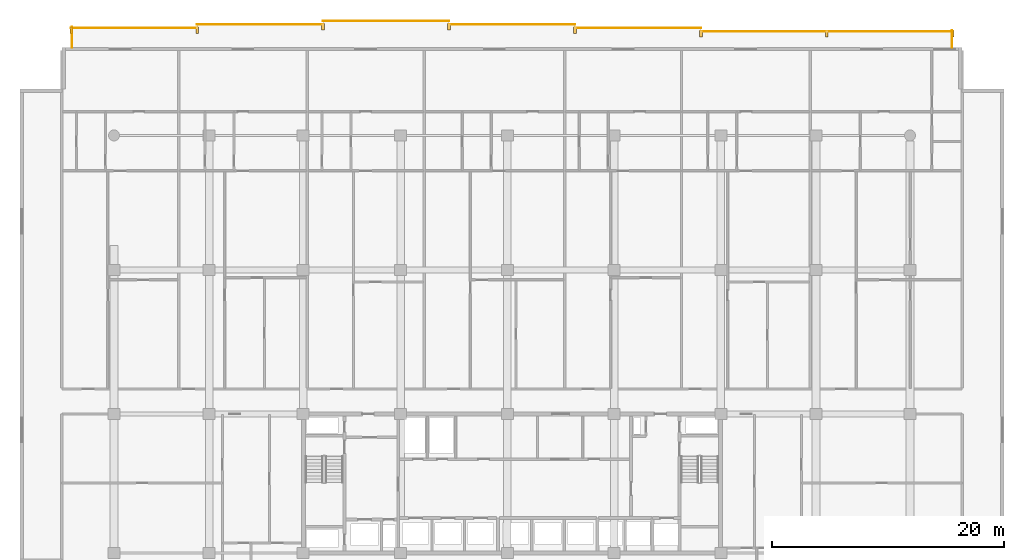
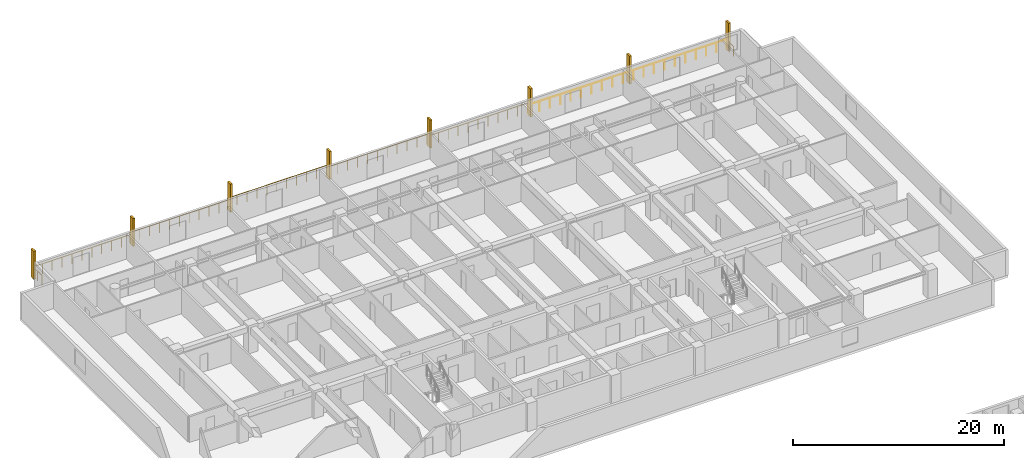
# One storey, part 23 of 23: 8 railings, 8 shading devices.
"""IFC4 building model written with IfcOpenShell, lengths in metres."""

from ifc_helpers import new_model, si_unit, direction, frame, origin, origin_2d, place, context, subcontext, project, spatial, rectangle, circle, extrude, material, type_object, element, save


model = new_model("IFC4")

# Units and contexts
model_context = context("Model", 3, precision=1e-05, world=origin(), true_north=direction((0.0, 1.0)))
body_context = subcontext(model_context, "Body", "Model", "MODEL_VIEW")
ifc_project = project(units=[si_unit("LENGTHUNIT", "METRE"), si_unit("AREAUNIT", "SQUARE_METRE"), si_unit("VOLUMEUNIT", "CUBIC_METRE"), si_unit("PLANEANGLEUNIT", "RADIAN"), si_unit("MASSUNIT", "GRAM", prefix="KILO")], contexts=[model_context])

# Site, building, storey
site_placement = place(None, origin())
site = spatial("IfcSite", under=ifc_project, at=site_placement, CompositionType="ELEMENT")
building_placement = place(site_placement, origin())
building = spatial("IfcBuilding", under=site, at=building_placement, Name="Korimba Cascade Residences", CompositionType="ELEMENT")
storey_placement = place(building_placement, frame((0.0, 0.0, 27.25)))
storey = spatial("IfcBuildingStorey", under=building, at=storey_placement, Name="L06", CompositionType="ELEMENT", Elevation=27.25)

# Railings
ifc_material_1 = material(Name="Laminated Glass and Bronze Balustrade", Category="glass")
railing_type = type_object("IfcRailingType", Name="RLG-LOG-1150", PredefinedType="BALUSTRADE", material=ifc_material_1)
railing_1_placement = place(storey_placement, frame((132.02001953125, 98.800048828125, 0.0)))
element("IfcRailing", 1, at=railing_1_placement, inside=storey, type_object=railing_type, Name="L06 Perimeter Guardrail RLG-L06-T1-LOG-01", PredefinedType="BALUSTRADE", context=body_context, shape_type="SweptSolid", body=[
    extrude(circle(Radius=0.02392578125, at=origin_2d()), frame((0.0, 0.0, 1.1259765625), z_axis=(0.0, 1.0, 0.0), x_axis=(-1.0, 0.0, 0.0)), (0.0, 0.0, 1.0), 1.449951171875),
    extrude(circle(Radius=0.02099609375, at=origin_2d()), origin(), (0.0, 0.0, 1.0), 1.101806640625),
    extrude(circle(Radius=0.02099609375, at=origin_2d()), frame((0.0, 0.72509765625, 0.0)), (0.0, 0.0, 1.0), 1.101806640625),
    extrude(circle(Radius=0.02099609375, at=origin_2d()), frame((0.0, 1.449951171875, 0.0)), (0.0, 0.0, 1.0), 1.101806640625),
])
railing_2_placement = place(storey_placement, frame((132.10009765625, 100.169921875, 0.0)))
element("IfcRailing", 2, at=railing_2_placement, inside=storey, type_object=railing_type, Name="L06 Perimeter Guardrail RLG-L06-T1-LOG-02", PredefinedType="BALUSTRADE", context=body_context, shape_type="SweptSolid", body=[
    extrude(circle(Radius=0.02392578125, at=origin_2d()), frame((0.0, 0.0, 1.1259765625), z_axis=(-1.0, 0.0, 0.0), x_axis=(0.0, -1.0, 0.0)), (0.0, 0.0, 1.0), 21.71435546875),
    extrude(circle(Radius=0.02099609375, at=origin_2d()), origin(), (0.0, 0.0, 1.0), 1.101806640625),
    extrude(circle(Radius=0.02099609375, at=origin_2d()), frame((-1.142822265625, 0.0, 0.0)), (0.0, 0.0, 1.0), 1.101806640625),
    extrude(circle(Radius=0.02099609375, at=origin_2d()), frame((-2.28564453125, 0.0, 0.0)), (0.0, 0.0, 1.0), 1.101806640625),
    extrude(circle(Radius=0.02099609375, at=origin_2d()), frame((-3.428466796875, 0.0, 0.0)), (0.0, 0.0, 1.0), 1.101806640625),
    extrude(circle(Radius=0.02099609375, at=origin_2d()), frame((-4.571533203125, 0.0, 0.0)), (0.0, 0.0, 1.0), 1.101806640625),
    extrude(circle(Radius=0.02099609375, at=origin_2d()), frame((-5.71435546875, 0.0, 0.0)), (0.0, 0.0, 1.0), 1.101806640625),
    extrude(circle(Radius=0.02099609375, at=origin_2d()), frame((-6.857177734375, 0.0, 0.0)), (0.0, 0.0, 1.0), 1.101806640625),
    extrude(circle(Radius=0.02099609375, at=origin_2d()), frame((-8.0, 0.0, 0.0)), (0.0, 0.0, 1.0), 1.101806640625),
    extrude(circle(Radius=0.02099609375, at=origin_2d()), frame((-9.142822265625, 0.0, 0.0)), (0.0, 0.0, 1.0), 1.101806640625),
    extrude(circle(Radius=0.02099609375, at=origin_2d()), frame((-10.28564453125, 0.0, 0.0)), (0.0, 0.0, 1.0), 1.101806640625),
    extrude(circle(Radius=0.02099609375, at=origin_2d()), frame((-11.4287109375, 0.0, 0.0)), (0.0, 0.0, 1.0), 1.101806640625),
    extrude(circle(Radius=0.02099609375, at=origin_2d()), frame((-12.571533203125, 0.0, 0.0)), (0.0, 0.0, 1.0), 1.101806640625),
    extrude(circle(Radius=0.02099609375, at=origin_2d()), frame((-13.71435546875, 0.0, 0.0)), (0.0, 0.0, 1.0), 1.101806640625),
    extrude(circle(Radius=0.02099609375, at=origin_2d()), frame((-14.857177734375, 0.0, 0.0)), (0.0, 0.0, 1.0), 1.101806640625),
    extrude(circle(Radius=0.02099609375, at=origin_2d()), frame((-16.0, 0.0, 0.0)), (0.0, 0.0, 1.0), 1.101806640625),
    extrude(circle(Radius=0.02099609375, at=origin_2d()), frame((-17.142822265625, 0.0, 0.0)), (0.0, 0.0, 1.0), 1.101806640625),
    extrude(circle(Radius=0.02099609375, at=origin_2d()), frame((-18.285888671875, 0.0, 0.0)), (0.0, 0.0, 1.0), 1.101806640625),
    extrude(circle(Radius=0.02099609375, at=origin_2d()), frame((-19.4287109375, 0.0, 0.0)), (0.0, 0.0, 1.0), 1.101806640625),
    extrude(circle(Radius=0.02099609375, at=origin_2d()), frame((-20.571533203125, 0.0, 0.0)), (0.0, 0.0, 1.0), 1.101806640625),
    extrude(circle(Radius=0.02099609375, at=origin_2d()), frame((-21.71435546875, 0.0, 0.0)), (0.0, 0.0, 1.0), 1.101806640625),
])
for number, where, name in (
    (3, (110.3857421875, 100.469970703125, 0.0), "L06 Perimeter Guardrail RLG-L06-T1-LOG-03"),
    (4, (99.528564453125, 100.77001953125, 0.0), "L06 Perimeter Guardrail RLG-L06-T1-LOG-04"),
    (5, (88.67138671875, 101.070068359375, 0.0), "L06 Perimeter Guardrail RLG-L06-T1-LOG-05"),
    (6, (77.814208984375, 100.77001953125, 0.0), "L06 Perimeter Guardrail RLG-L06-T1-LOG-06"),
):
    element("IfcRailing", number, at=place(storey_placement, frame(where)), inside=storey, type_object=railing_type, Name=name, PredefinedType="BALUSTRADE", context=body_context, shape_type="SweptSolid", body=[
        extrude(circle(Radius=0.02392578125, at=origin_2d()), frame((0.0, 0.0, 1.1259765625), z_axis=(-1.0, 0.0, 0.0), x_axis=(0.0, -1.0, 0.0)), (0.0, 0.0, 1.0), 10.857177734375),
        extrude(circle(Radius=0.02099609375, at=origin_2d()), origin(), (0.0, 0.0, 1.0), 1.101806640625),
        extrude(circle(Radius=0.02099609375, at=origin_2d()), frame((-1.085693359375, 0.0, 0.0)), (0.0, 0.0, 1.0), 1.101806640625),
        extrude(circle(Radius=0.02099609375, at=origin_2d()), frame((-2.17138671875, 0.0, 0.0)), (0.0, 0.0, 1.0), 1.101806640625),
        extrude(circle(Radius=0.02099609375, at=origin_2d()), frame((-3.257080078125, 0.0, 0.0)), (0.0, 0.0, 1.0), 1.101806640625),
        extrude(circle(Radius=0.02099609375, at=origin_2d()), frame((-4.3427734375, 0.0, 0.0)), (0.0, 0.0, 1.0), 1.101806640625),
        extrude(circle(Radius=0.02099609375, at=origin_2d()), frame((-5.4287109375, 0.0, 0.0)), (0.0, 0.0, 1.0), 1.101806640625),
        extrude(circle(Radius=0.02099609375, at=origin_2d()), frame((-6.514404296875, 0.0, 0.0)), (0.0, 0.0, 1.0), 1.101806640625),
        extrude(circle(Radius=0.02099609375, at=origin_2d()), frame((-7.60009765625, 0.0, 0.0)), (0.0, 0.0, 1.0), 1.101806640625),
        extrude(circle(Radius=0.02099609375, at=origin_2d()), frame((-8.685791015625, 0.0, 0.0)), (0.0, 0.0, 1.0), 1.101806640625),
        extrude(circle(Radius=0.02099609375, at=origin_2d()), frame((-9.771484375, 0.0, 0.0)), (0.0, 0.0, 1.0), 1.101806640625),
        extrude(circle(Radius=0.02099609375, at=origin_2d()), frame((-10.857177734375, 0.0, 0.0)), (0.0, 0.0, 1.0), 1.101806640625),
    ])
railing_3_placement = place(storey_placement, frame((66.95703125, 100.469970703125, 0.0)))
element("IfcRailing", 7, at=railing_3_placement, inside=storey, type_object=railing_type, Name="L06 Perimeter Guardrail RLG-L06-T1-LOG-07", PredefinedType="BALUSTRADE", context=body_context, shape_type="SweptSolid", body=[
    extrude(circle(Radius=0.02392578125, at=origin_2d()), frame((0.0, 0.0, 1.1259765625), z_axis=(-1.0, 0.0, 0.0), x_axis=(0.0, -1.0, 0.0)), (0.0, 0.0, 1.0), 10.85693359375),
    extrude(circle(Radius=0.02099609375, at=origin_2d()), origin(), (0.0, 0.0, 1.0), 1.101806640625),
    extrude(circle(Radius=0.02099609375, at=origin_2d()), frame((-1.085693359375, 0.0, 0.0)), (0.0, 0.0, 1.0), 1.101806640625),
    extrude(circle(Radius=0.02099609375, at=origin_2d()), frame((-2.17138671875, 0.0, 0.0)), (0.0, 0.0, 1.0), 1.101806640625),
    extrude(circle(Radius=0.02099609375, at=origin_2d()), frame((-3.257080078125, 0.0, 0.0)), (0.0, 0.0, 1.0), 1.101806640625),
    extrude(circle(Radius=0.02099609375, at=origin_2d()), frame((-4.3427734375, 0.0, 0.0)), (0.0, 0.0, 1.0), 1.101806640625),
    extrude(circle(Radius=0.02099609375, at=origin_2d()), frame((-5.428466796875, 0.0, 0.0)), (0.0, 0.0, 1.0), 1.101806640625),
    extrude(circle(Radius=0.02099609375, at=origin_2d()), frame((-6.51416015625, 0.0, 0.0)), (0.0, 0.0, 1.0), 1.101806640625),
    extrude(circle(Radius=0.02099609375, at=origin_2d()), frame((-7.599853515625, 0.0, 0.0)), (0.0, 0.0, 1.0), 1.101806640625),
    extrude(circle(Radius=0.02099609375, at=origin_2d()), frame((-8.685546875, 0.0, 0.0)), (0.0, 0.0, 1.0), 1.101806640625),
    extrude(circle(Radius=0.02099609375, at=origin_2d()), frame((-9.771240234375, 0.0, 0.0)), (0.0, 0.0, 1.0), 1.101806640625),
    extrude(circle(Radius=0.02099609375, at=origin_2d()), frame((-10.85693359375, 0.0, 0.0)), (0.0, 0.0, 1.0), 1.101806640625),
])
railing_4_placement = place(storey_placement, frame((56.179931640625, 100.550048828125, 0.0)))
element("IfcRailing", 8, at=railing_4_placement, inside=storey, type_object=railing_type, Name="L06 Perimeter Guardrail RLG-L06-T1-LOG-08", PredefinedType="BALUSTRADE", context=body_context, shape_type="SweptSolid", body=[
    extrude(circle(Radius=0.02392578125, at=origin_2d()), frame((0.0, 0.0, 1.1259765625), z_axis=(0.0, -1.0, 0.0), x_axis=(1.0, 0.0, 0.0)), (0.0, 0.0, 1.0), 1.75),
    extrude(circle(Radius=0.02099609375, at=origin_2d()), origin(), (0.0, 0.0, 1.0), 1.101806640625),
    extrude(circle(Radius=0.02099609375, at=origin_2d()), frame((0.0, -0.875, 0.0)), (0.0, 0.0, 1.0), 1.101806640625),
    extrude(circle(Radius=0.02099609375, at=origin_2d()), frame((0.0, -1.75, 0.0)), (0.0, 0.0, 1.0), 1.101806640625),
])

# Shading devices
ifc_material_2 = material(Name="Honed Sandstone Precast Fin", Category="masonry")
shading_device_type = type_object("IfcShadingDeviceType", Name="SHD-FIN-550", PredefinedType="USERDEFINED", material=ifc_material_2)
for number, where, z_axis, x_axis, name in (
    (9, (56.10009765625, 100.27490234375, 0.0), (0.0, 0.0, 1.0), (1.0, 0.0, 0.0), "L06 T1 Warm-Stone Loggia Fin 1"),
    (10, (66.95703125, 100.27490234375, 0.0), (0.0, 0.0, 1.0), (1.0, 0.0, 0.0), "L06 T1 Warm-Stone Loggia Fin 2"),
    (11, (77.814208984375, 100.574951171875, 0.0), (0.0, 0.0, 1.0), (1.0, 0.0, 0.0), "L06 T1 Warm-Stone Loggia Fin 3"),
    (12, (88.67138671875, 100.574951171875, 0.0), (0.0, 0.0, 1.0), (1.0, 0.0, 0.0), "L06 T1 Warm-Stone Loggia Fin 4"),
    (13, (99.528564453125, 100.27490234375, 0.0), (0.0, 0.0, 1.0), (1.0, 0.0, 0.0), "L06 T1 Warm-Stone Loggia Fin 5"),
    (14, (110.3857421875, 99.97509765625, 0.0), (0.0, 0.0, 1.0), (1.0, 0.0, 0.0), "L06 T1 Warm-Stone Loggia Fin 6"),
    (15, (121.242919921875, 99.97509765625, 0.0), (0.0, 0.0, 1.0), (1.0, 0.0, 0.0), "L06 T1 Warm-Stone Loggia Fin 7"),
    (16, (132.10009765625, 99.97509765625, 0.0), (0.0, 0.0, 1.0), (1.0, 0.0, 0.0), "L06 T1 Warm-Stone Loggia Fin 8"),
):
    element("IfcShadingDevice", number, at=place(storey_placement, frame(where, z_axis=z_axis, x_axis=x_axis)), inside=storey, type_object=shading_device_type, Name=name, ObjectType="FIN", PredefinedType="USERDEFINED", context=body_context, shape_type="SweptSolid", body=[
        extrude(rectangle(XDim=0.219970703125, YDim=0.550048828125, at=origin_2d()), origin(), (0.0, 0.0, 1.0), 3.25),
    ])

save(model, "model.ifc")
